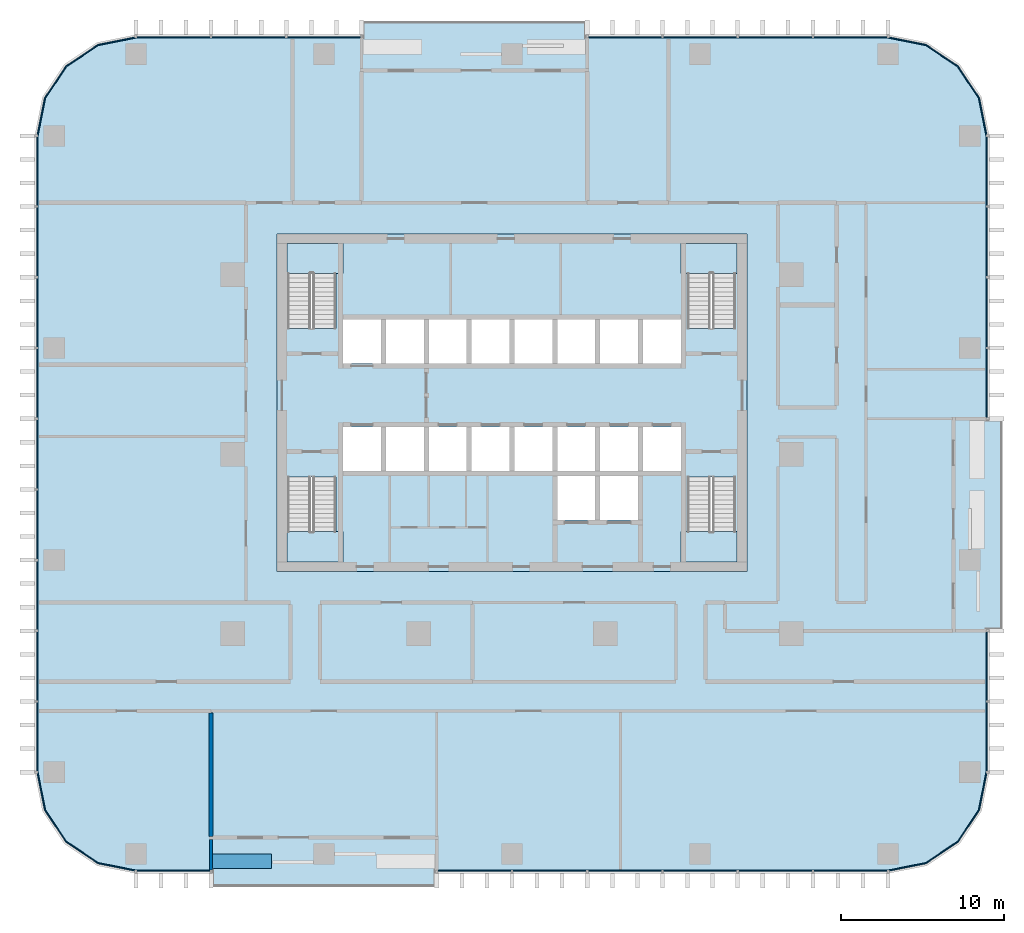
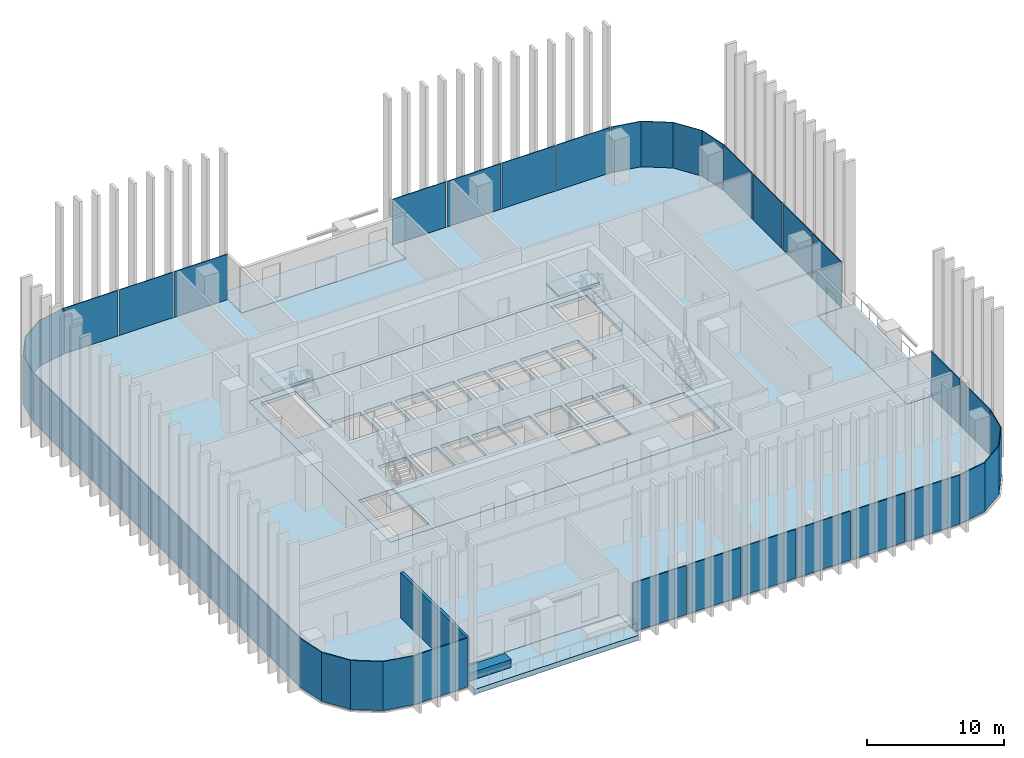
# One storey, part 6 of 17: 33 plates, 9 slabs, 3 walls, 15 elements without a shape of their own.
"""IFC4 building model written with IfcOpenShell, lengths in metres."""

from ifc_helpers import new_model, si_unit, direction, frame, frame_2d, origin, origin_2d, place, context, subcontext, project, spatial, polyline, rectangle, outline, extrude, material, layer, layer_set, type_object, element, aggregate, save


model = new_model("IFC4")

# Units and contexts
model_context = context("Model", 3, precision=1e-05, world=origin(), true_north=direction((0.0, 1.0)))
body_context = subcontext(model_context, "Body", "Model", "MODEL_VIEW")
ifc_project = project(units=[si_unit("LENGTHUNIT", "METRE"), si_unit("AREAUNIT", "SQUARE_METRE"), si_unit("VOLUMEUNIT", "CUBIC_METRE"), si_unit("PLANEANGLEUNIT", "RADIAN"), si_unit("MASSUNIT", "GRAM", prefix="KILO")], contexts=[model_context])

# Site, building, storey
site_placement = place(None, origin())
site = spatial("IfcSite", under=ifc_project, at=site_placement, CompositionType="ELEMENT")
building_placement = place(site_placement, origin())
building = spatial("IfcBuilding", under=site, at=building_placement, Name="Mopane Tessera Tower", CompositionType="ELEMENT")
storey_placement = place(building_placement, frame((0.0, 0.0, 135.10009765625)))
storey = spatial("IfcBuildingStorey", under=building, at=storey_placement, Name="L27", CompositionType="ELEMENT", Elevation=135.10009765625)

# Slab
ifc_material_1 = material(Name="Concrete C40/50", Category="concrete")
ifc_layer_1 = layer(ifc_material_1, 0.300048828125)
ifc_layer_set_1 = layer_set([ifc_layer_1], Name="Concrete C40/50")
slab_type_1 = type_object("IfcSlabType", Name="Core floor slab 300 mm", PredefinedType="FLOOR", material=ifc_layer_set_1)
slab_1_placement = place(storey_placement, frame((0.0, 0.0, -0.300048828125)))
element("IfcSlab", 1, at=slab_1_placement, inside=storey, type_object=slab_type_1, Name="L27 core floor slab", PredefinedType="FLOOR", context=body_context, shape_type="SweptSolid", body=[
    extrude(outline(polyline([(-14.39990234375, -7.199951171875), (14.39990234375, -7.199951171875), (14.39990234375, 13.5), (-14.39990234375, 13.5), (-14.39990234375, -7.199951171875)]), holes=[polyline([(-10.35009765625, -1.050048828125), (-8.02490234375, -1.050048828125), (-8.02490234375, 1.64990234375), (-10.35009765625, 1.64990234375), (-10.35009765625, -1.050048828125)]), polyline([(-7.72509765625, -1.050048828125), (-5.39990234375, -1.050048828125), (-5.39990234375, 1.64990234375), (-7.72509765625, 1.64990234375), (-7.72509765625, -1.050048828125)]), polyline([(-5.10009765625, -1.050048828125), (-2.77490234375, -1.050048828125), (-2.77490234375, 1.64990234375), (-5.10009765625, 1.64990234375), (-5.10009765625, -1.050048828125)]), polyline([(-2.47509765625, -1.050048828125), (-0.14990234375, -1.050048828125), (-0.14990234375, 1.64990234375), (-2.47509765625, 1.64990234375), (-2.47509765625, -1.050048828125)]), polyline([(0.14990234375, -1.050048828125), (2.47509765625, -1.050048828125), (2.47509765625, 1.64990234375), (0.14990234375, 1.64990234375), (0.14990234375, -1.050048828125)]), polyline([(2.77490234375, -1.050048828125), (5.10009765625, -1.050048828125), (5.10009765625, 1.64990234375), (2.77490234375, 1.64990234375), (2.77490234375, -1.050048828125)]), polyline([(5.39990234375, -1.050048828125), (7.72509765625, -1.050048828125), (7.72509765625, 1.64990234375), (5.39990234375, 1.64990234375), (5.39990234375, -1.050048828125)]), polyline([(8.02490234375, -1.050048828125), (10.35009765625, -1.050048828125), (10.35009765625, 1.64990234375), (8.02490234375, 1.64990234375), (8.02490234375, -1.050048828125)]), polyline([(-10.35009765625, 5.550048828125), (-8.02490234375, 5.550048828125), (-8.02490234375, 8.25), (-10.35009765625, 8.25), (-10.35009765625, 5.550048828125)]), polyline([(-7.72509765625, 5.550048828125), (-5.39990234375, 5.550048828125), (-5.39990234375, 8.25), (-7.72509765625, 8.25), (-7.72509765625, 5.550048828125)]), polyline([(-5.10009765625, 5.550048828125), (-2.77490234375, 5.550048828125), (-2.77490234375, 8.25), (-5.10009765625, 8.25), (-5.10009765625, 5.550048828125)]), polyline([(-2.47509765625, 5.550048828125), (-0.14990234375, 5.550048828125), (-0.14990234375, 8.25), (-2.47509765625, 8.25), (-2.47509765625, 5.550048828125)]), polyline([(0.14990234375, 5.550048828125), (2.47509765625, 5.550048828125), (2.47509765625, 8.25), (0.14990234375, 8.25), (0.14990234375, 5.550048828125)]), polyline([(2.77490234375, 5.550048828125), (5.10009765625, 5.550048828125), (5.10009765625, 8.25), (2.77490234375, 8.25), (2.77490234375, 5.550048828125)]), polyline([(5.39990234375, 5.550048828125), (7.72509765625, 5.550048828125), (7.72509765625, 8.25), (5.39990234375, 8.25), (5.39990234375, 5.550048828125)]), polyline([(8.02490234375, 5.550048828125), (10.35009765625, 5.550048828125), (10.35009765625, 8.25), (8.02490234375, 8.25), (8.02490234375, 5.550048828125)]), polyline([(2.77490234375, -4.050048828125), (5.10009765625, -4.050048828125), (5.10009765625, -1.35009765625), (2.77490234375, -1.35009765625), (2.77490234375, -4.050048828125)]), polyline([(5.39990234375, -4.050048828125), (7.72509765625, -4.050048828125), (7.72509765625, -1.35009765625), (5.39990234375, -1.35009765625), (5.39990234375, -4.050048828125)]), polyline([(-13.75, -1.405029296875), (-13.75, -6.60009765625), (-10.800048828125, -6.60009765625), (-10.800048828125, -1.405029296875), (-13.75, -1.405029296875)]), polyline([(-10.800048828125, 7.705078125), (-10.800048828125, 12.89990234375), (-13.75, 12.89990234375), (-13.75, 7.705078125), (-10.800048828125, 7.705078125)]), polyline([(10.75, -1.405029296875), (10.75, -6.60009765625), (13.699951171875, -6.60009765625), (13.699951171875, -1.405029296875), (10.75, -1.405029296875)]), polyline([(13.699951171875, 7.705078125), (13.699951171875, 12.89990234375), (10.75, 12.89990234375), (10.75, 7.705078125), (13.699951171875, 7.705078125)])]), origin(), (0.0, 0.0, 1.0), 0.300048828125),
])

# Stair, slab
ifc_material_2 = material(Name="Concrete C50/60", Category="concrete")
stair_type = type_object("IfcStairType", Name="Escape stair 1400 mm, riser 173 mm", PredefinedType="HALF_TURN_STAIR", material=ifc_material_2)
stair_1_placement = place(storey_placement, origin())
stair_1 = element("IfcStair", 2, at=stair_1_placement, inside=storey, type_object=stair_type, Name="L27 Escape stair south-west", PredefinedType="HALF_TURN_STAIR")
ifc_material_3 = material(Name="Concrete C50/60", Category="concrete")
ifc_layer_2 = layer(ifc_material_3, 0.199951171875)
ifc_layer_set_2 = layer_set([ifc_layer_2], Name="Concrete C50/60")
slab_type_2 = type_object("IfcSlabType", Name="Escape stair landing 200 mm", PredefinedType="LANDING", material=ifc_layer_set_2)
slab_2_placement = place(storey_placement, frame((0.0, 0.0, 2.0498046875)))
slab_2 = element("IfcSlab", 3, at=slab_2_placement, type_object=slab_type_2, Name="ST1 landing 1", PredefinedType="LANDING", context=body_context, shape_type="SweptSolid", body=[
    extrude(outline(polyline([(-13.800048828125, -4.760009765625), (-13.800048828125, -6.60009765625), (-10.35009765625, -6.60009765625), (-10.35009765625, -4.760009765625), (-13.800048828125, -4.760009765625)])), origin(), (0.0, 0.0, 1.0), 0.2001953125),
])
aggregate(stair_1, [slab_2])

stair_2_placement = place(storey_placement, origin())
stair_2 = element("IfcStair", 4, at=stair_2_placement, inside=storey, type_object=stair_type, Name="L27 Escape stair north-west", PredefinedType="HALF_TURN_STAIR")
slab_3_placement = place(storey_placement, frame((0.0, 0.0, 2.0498046875)))
slab_3 = element("IfcSlab", 5, at=slab_3_placement, type_object=slab_type_2, Name="ST2 landing 1", PredefinedType="LANDING", context=body_context, shape_type="SweptSolid", body=[
    extrude(outline(polyline([(-10.35009765625, 11.06005859375), (-10.35009765625, 12.89990234375), (-13.800048828125, 12.89990234375), (-13.800048828125, 11.06005859375), (-10.35009765625, 11.06005859375)])), origin(), (0.0, 0.0, 1.0), 0.2001953125),
])
aggregate(stair_2, [slab_3])

stair_3_placement = place(storey_placement, origin())
stair_3 = element("IfcStair", 6, at=stair_3_placement, inside=storey, type_object=stair_type, Name="L27 Escape stair south-east", PredefinedType="HALF_TURN_STAIR")
slab_4_placement = place(storey_placement, frame((0.0, 0.0, 2.0498046875)))
slab_4 = element("IfcSlab", 7, at=slab_4_placement, type_object=slab_type_2, Name="ST3 landing 1", PredefinedType="LANDING", context=body_context, shape_type="SweptSolid", body=[
    extrude(outline(polyline([(10.35009765625, -4.760009765625), (10.35009765625, -6.60009765625), (13.800048828125, -6.60009765625), (13.800048828125, -4.760009765625), (10.35009765625, -4.760009765625)])), origin(), (0.0, 0.0, 1.0), 0.2001953125),
])
aggregate(stair_3, [slab_4])

stair_4_placement = place(storey_placement, origin())
stair_4 = element("IfcStair", 8, at=stair_4_placement, inside=storey, type_object=stair_type, Name="L27 Escape stair north-east", PredefinedType="HALF_TURN_STAIR")
slab_5_placement = place(storey_placement, frame((0.0, 0.0, 2.0498046875)))
slab_5 = element("IfcSlab", 9, at=slab_5_placement, type_object=slab_type_2, Name="ST4 landing 1", PredefinedType="LANDING", context=body_context, shape_type="SweptSolid", body=[
    extrude(outline(polyline([(13.800048828125, 11.06005859375), (13.800048828125, 12.89990234375), (10.35009765625, 12.89990234375), (10.35009765625, 11.06005859375), (13.800048828125, 11.06005859375)])), origin(), (0.0, 0.0, 1.0), 0.2001953125),
])
aggregate(stair_4, [slab_5])

# Curtain wall, plate
ifc_material_4 = material(Name="Aluminium frame", Category="aluminium")
curtain_wall_type = type_object("IfcCurtainWallType", Name="Lower tower unitised wall", PredefinedType="NOTDEFINED", material=ifc_material_4)
curtain_wall_1_placement = place(storey_placement, origin())
curtain_wall_1 = element("IfcCurtainWall", 10, at=curtain_wall_1_placement, inside=storey, type_object=curtain_wall_type, Name="e:cw:L27:S:0", PredefinedType="NOTDEFINED")
ifc_material_5 = material(Name="Clear laminated glass", Category="glass")
ifc_layer_3 = layer(ifc_material_5, 0.070068359375)
ifc_layer_set_3 = layer_set([ifc_layer_3], Name="Clear laminated glass")
plate_type = type_object("IfcPlateType", Name="Laminated glazed unit 70", PredefinedType="CURTAIN_PANEL", material=ifc_layer_set_3)
plate_1_placement = place(storey_placement, frame((-20.7451171875, -25.534912109375, -0.31005859375), z_axis=(0.0, 0.0, 1.0), x_axis=(1.0, 0.0, 0.0)))
plate_1 = element("IfcPlate", 11, at=plate_1_placement, type_object=plate_type, Name="e:cw:L27:S:0:pn0", PredefinedType="CURTAIN_PANEL", context=body_context, shape_type="SweptSolid", body=[
    extrude(rectangle(XDim=4.5, YDim=0.070068359375, at=origin_2d()), origin(), (0.0, 0.0, 1.0), 4.360107421875),
])
aggregate(curtain_wall_1, [plate_1])

# Curtain wall, plates
curtain_wall_2_placement = place(storey_placement, origin())
curtain_wall_2 = element("IfcCurtainWall", 12, at=curtain_wall_2_placement, inside=storey, type_object=curtain_wall_type, Name="e:cw:L27:S:4", PredefinedType="NOTDEFINED")
plate_2_placement = place(storey_placement, frame((-2.304931640625, -25.534912109375, -0.31005859375), z_axis=(0.0, 0.0, 1.0), x_axis=(1.0, 0.0, 0.0)))
plate_2 = element("IfcPlate", 13, at=plate_2_placement, type_object=plate_type, Name="e:cw:L27:S:4:pn4", PredefinedType="CURTAIN_PANEL", context=body_context, shape_type="SweptSolid", body=[
    extrude(rectangle(XDim=4.5, YDim=0.070068359375, at=origin_2d()), origin(), (0.0, 0.0, 1.0), 4.360107421875),
])
plate_3_placement = place(storey_placement, frame((2.304931640625, -25.534912109375, -0.31005859375), z_axis=(0.0, 0.0, 1.0), x_axis=(1.0, 0.0, 0.0)))
plate_3 = element("IfcPlate", 14, at=plate_3_placement, type_object=plate_type, Name="e:cw:L27:S:4:pn5", PredefinedType="CURTAIN_PANEL", context=body_context, shape_type="SweptSolid", body=[
    extrude(rectangle(XDim=4.5, YDim=0.070068359375, at=origin_2d()), origin(), (0.0, 0.0, 1.0), 4.360107421875),
])
plate_4_placement = place(storey_placement, frame((6.9150390625, -25.534912109375, -0.31005859375), z_axis=(0.0, 0.0, 1.0), x_axis=(1.0, 0.0, 0.0)))
plate_4 = element("IfcPlate", 15, at=plate_4_placement, type_object=plate_type, Name="e:cw:L27:S:4:pn6", PredefinedType="CURTAIN_PANEL", context=body_context, shape_type="SweptSolid", body=[
    extrude(rectangle(XDim=4.5, YDim=0.070068359375, at=origin_2d()), origin(), (0.0, 0.0, 1.0), 4.360107421875),
])
plate_5_placement = place(storey_placement, frame((11.52490234375, -25.534912109375, -0.31005859375), z_axis=(0.0, 0.0, 1.0), x_axis=(1.0, 0.0, 0.0)))
plate_5 = element("IfcPlate", 16, at=plate_5_placement, type_object=plate_type, Name="e:cw:L27:S:4:pn7", PredefinedType="CURTAIN_PANEL", context=body_context, shape_type="SweptSolid", body=[
    extrude(rectangle(XDim=4.5, YDim=0.070068359375, at=origin_2d()), origin(), (0.0, 0.0, 1.0), 4.360107421875),
])
plate_6_placement = place(storey_placement, frame((16.135009765625, -25.534912109375, -0.31005859375), z_axis=(0.0, 0.0, 1.0), x_axis=(1.0, 0.0, 0.0)))
plate_6 = element("IfcPlate", 17, at=plate_6_placement, type_object=plate_type, Name="e:cw:L27:S:4:pn8", PredefinedType="CURTAIN_PANEL", context=body_context, shape_type="SweptSolid", body=[
    extrude(rectangle(XDim=4.5, YDim=0.070068359375, at=origin_2d()), origin(), (0.0, 0.0, 1.0), 4.360107421875),
])
plate_7_placement = place(storey_placement, frame((20.7451171875, -25.534912109375, -0.31005859375), z_axis=(0.0, 0.0, 1.0), x_axis=(1.0, 0.0, 0.0)))
plate_7 = element("IfcPlate", 18, at=plate_7_placement, type_object=plate_type, Name="e:cw:L27:S:4:pn9", PredefinedType="CURTAIN_PANEL", context=body_context, shape_type="SweptSolid", body=[
    extrude(rectangle(XDim=4.5, YDim=0.070068359375, at=origin_2d()), origin(), (0.0, 0.0, 1.0), 4.360107421875),
])
aggregate(curtain_wall_2, [plate_2, plate_3, plate_4, plate_5, plate_6, plate_7])

# Curtain wall, plate
curtain_wall_3_placement = place(storey_placement, origin())
curtain_wall_3 = element("IfcCurtainWall", 19, at=curtain_wall_3_placement, inside=storey, type_object=curtain_wall_type, Name="e:cw:L27:CS", PredefinedType="NOTDEFINED")
plate_8_placement = place(storey_placement, frame((0.0, 0.0, -0.31005859375)))
plate_8 = element("IfcPlate", 20, at=plate_8_placement, type_object=plate_type, Name="e:cw:L27:CS:pn", PredefinedType="CURTAIN_PANEL", context=body_context, shape_type="SweptSolid", body=[
    extrude(outline(polyline([(23.050048828125, -25.5), (25.34619140625, -25.043212890625), (27.292724609375, -23.74267578125), (28.59326171875, -21.796142578125), (29.050048828125, -19.5), (29.1201171875, -19.5), (28.657958984375, -21.822998046875), (27.342041015625, -23.792236328125), (25.372802734375, -25.10791015625), (23.050048828125, -25.570068359375), (23.050048828125, -25.5)])), origin(), (0.0, 0.0, 1.0), 4.35986328125),
])
aggregate(curtain_wall_3, [plate_8])

# Curtain wall, plates
curtain_wall_4_placement = place(storey_placement, origin())
curtain_wall_4 = element("IfcCurtainWall", 21, at=curtain_wall_4_placement, inside=storey, type_object=curtain_wall_type, Name="e:cw:L27:E:0", PredefinedType="NOTDEFINED")
plate_9_placement = place(storey_placement, frame((29.0849609375, -17.333251953125, -0.31005859375), z_axis=(0.0, 0.0, 1.0), x_axis=(0.0, 1.0, 0.0)))
plate_9 = element("IfcPlate", 22, at=plate_9_placement, type_object=plate_type, Name="e:cw:L27:E:0:pn0", PredefinedType="CURTAIN_PANEL", context=body_context, shape_type="SweptSolid", body=[
    extrude(rectangle(XDim=4.223388671875, YDim=0.070068359375, at=origin_2d()), origin(), (0.0, 0.0, 1.0), 4.360107421875),
])
plate_10_placement = place(storey_placement, frame((29.0849609375, -13.0, -0.31005859375), z_axis=(0.0, 0.0, 1.0), x_axis=(0.0, 1.0, 0.0)))
plate_10 = element("IfcPlate", 23, at=plate_10_placement, type_object=plate_type, Name="e:cw:L27:E:0:pn1", PredefinedType="CURTAIN_PANEL", context=body_context, shape_type="SweptSolid", body=[
    extrude(rectangle(XDim=4.223388671875, YDim=0.070068359375, at=origin_2d()), origin(), (0.0, 0.0, 1.0), 4.360107421875),
])
aggregate(curtain_wall_4, [plate_9, plate_10])

curtain_wall_5_placement = place(storey_placement, origin())
curtain_wall_5 = element("IfcCurtainWall", 24, at=curtain_wall_5_placement, inside=storey, type_object=curtain_wall_type, Name="e:cw:L27:E:5", PredefinedType="NOTDEFINED")
plate_11_placement = place(storey_placement, frame((29.0849609375, 4.333251953125, -0.31005859375), z_axis=(0.0, 0.0, 1.0), x_axis=(0.0, 1.0, 0.0)))
plate_11 = element("IfcPlate", 25, at=plate_11_placement, type_object=plate_type, Name="e:cw:L27:E:5:pn5", PredefinedType="CURTAIN_PANEL", context=body_context, shape_type="SweptSolid", body=[
    extrude(rectangle(XDim=4.223388671875, YDim=0.070068359375, at=origin_2d()), origin(), (0.0, 0.0, 1.0), 4.360107421875),
])
plate_12_placement = place(storey_placement, frame((29.0849609375, 8.666748046875, -0.31005859375), z_axis=(0.0, 0.0, 1.0), x_axis=(0.0, 1.0, 0.0)))
plate_12 = element("IfcPlate", 26, at=plate_12_placement, type_object=plate_type, Name="e:cw:L27:E:5:pn6", PredefinedType="CURTAIN_PANEL", context=body_context, shape_type="SweptSolid", body=[
    extrude(rectangle(XDim=4.223388671875, YDim=0.070068359375, at=origin_2d()), origin(), (0.0, 0.0, 1.0), 4.360107421875),
])
plate_13_placement = place(storey_placement, frame((29.0849609375, 13.0, -0.31005859375), z_axis=(0.0, 0.0, 1.0), x_axis=(0.0, 1.0, 0.0)))
plate_13 = element("IfcPlate", 27, at=plate_13_placement, type_object=plate_type, Name="e:cw:L27:E:5:pn7", PredefinedType="CURTAIN_PANEL", context=body_context, shape_type="SweptSolid", body=[
    extrude(rectangle(XDim=4.223388671875, YDim=0.070068359375, at=origin_2d()), origin(), (0.0, 0.0, 1.0), 4.360107421875),
])
plate_14_placement = place(storey_placement, frame((29.0849609375, 17.333251953125, -0.31005859375), z_axis=(0.0, 0.0, 1.0), x_axis=(0.0, 1.0, 0.0)))
plate_14 = element("IfcPlate", 28, at=plate_14_placement, type_object=plate_type, Name="e:cw:L27:E:5:pn8", PredefinedType="CURTAIN_PANEL", context=body_context, shape_type="SweptSolid", body=[
    extrude(rectangle(XDim=4.223388671875, YDim=0.070068359375, at=origin_2d()), origin(), (0.0, 0.0, 1.0), 4.360107421875),
])
aggregate(curtain_wall_5, [plate_11, plate_12, plate_13, plate_14])

# Curtain wall, plate
curtain_wall_6_placement = place(storey_placement, origin())
curtain_wall_6 = element("IfcCurtainWall", 29, at=curtain_wall_6_placement, inside=storey, type_object=curtain_wall_type, Name="e:cw:L27:CE", PredefinedType="NOTDEFINED")
plate_15_placement = place(storey_placement, frame((0.0, 0.0, -0.31005859375)))
plate_15 = element("IfcPlate", 30, at=plate_15_placement, type_object=plate_type, Name="e:cw:L27:CE:pn", PredefinedType="CURTAIN_PANEL", context=body_context, shape_type="SweptSolid", body=[
    extrude(outline(polyline([(29.050048828125, 19.5), (28.59326171875, 21.796142578125), (27.292724609375, 23.74267578125), (25.34619140625, 25.043212890625), (23.050048828125, 25.5), (23.050048828125, 25.570068359375), (25.372802734375, 25.10791015625), (27.342041015625, 23.792236328125), (28.657958984375, 21.822998046875), (29.1201171875, 19.5), (29.050048828125, 19.5)])), origin(), (0.0, 0.0, 1.0), 4.35986328125),
])
aggregate(curtain_wall_6, [plate_15])

# Curtain wall, plates
curtain_wall_7_placement = place(storey_placement, origin())
curtain_wall_7 = element("IfcCurtainWall", 31, at=curtain_wall_7_placement, inside=storey, type_object=curtain_wall_type, Name="e:cw:L27:N:0", PredefinedType="NOTDEFINED")
plate_16_placement = place(storey_placement, frame((20.7451171875, 25.534912109375, -0.31005859375), z_axis=(0.0, 0.0, 1.0), x_axis=(-1.0, 0.0, 0.0)))
plate_16 = element("IfcPlate", 32, at=plate_16_placement, type_object=plate_type, Name="e:cw:L27:N:0:pn0", PredefinedType="CURTAIN_PANEL", context=body_context, shape_type="SweptSolid", body=[
    extrude(rectangle(XDim=4.5, YDim=0.070068359375, at=origin_2d()), origin(), (0.0, 0.0, 1.0), 4.360107421875),
])
plate_17_placement = place(storey_placement, frame((16.135009765625, 25.534912109375, -0.31005859375), z_axis=(0.0, 0.0, 1.0), x_axis=(-1.0, 0.0, 0.0)))
plate_17 = element("IfcPlate", 33, at=plate_17_placement, type_object=plate_type, Name="e:cw:L27:N:0:pn1", PredefinedType="CURTAIN_PANEL", context=body_context, shape_type="SweptSolid", body=[
    extrude(rectangle(XDim=4.5, YDim=0.070068359375, at=origin_2d()), origin(), (0.0, 0.0, 1.0), 4.360107421875),
])
plate_18_placement = place(storey_placement, frame((11.52490234375, 25.534912109375, -0.31005859375), z_axis=(0.0, 0.0, 1.0), x_axis=(-1.0, 0.0, 0.0)))
plate_18 = element("IfcPlate", 34, at=plate_18_placement, type_object=plate_type, Name="e:cw:L27:N:0:pn2", PredefinedType="CURTAIN_PANEL", context=body_context, shape_type="SweptSolid", body=[
    extrude(rectangle(XDim=4.5, YDim=0.070068359375, at=origin_2d()), origin(), (0.0, 0.0, 1.0), 4.360107421875),
])
plate_19_placement = place(storey_placement, frame((6.9150390625, 25.534912109375, -0.31005859375), z_axis=(0.0, 0.0, 1.0), x_axis=(-1.0, 0.0, 0.0)))
plate_19 = element("IfcPlate", 35, at=plate_19_placement, type_object=plate_type, Name="e:cw:L27:N:0:pn3", PredefinedType="CURTAIN_PANEL", context=body_context, shape_type="SweptSolid", body=[
    extrude(rectangle(XDim=4.5, YDim=0.070068359375, at=origin_2d()), origin(), (0.0, 0.0, 1.0), 4.360107421875),
])
aggregate(curtain_wall_7, [plate_16, plate_17, plate_18, plate_19])

curtain_wall_8_placement = place(storey_placement, origin())
curtain_wall_8 = element("IfcCurtainWall", 36, at=curtain_wall_8_placement, inside=storey, type_object=curtain_wall_type, Name="e:cw:L27:N:7", PredefinedType="NOTDEFINED")
plate_20_placement = place(storey_placement, frame((-11.52490234375, 25.534912109375, -0.31005859375), z_axis=(0.0, 0.0, 1.0), x_axis=(-1.0, 0.0, 0.0)))
plate_20 = element("IfcPlate", 37, at=plate_20_placement, type_object=plate_type, Name="e:cw:L27:N:7:pn7", PredefinedType="CURTAIN_PANEL", context=body_context, shape_type="SweptSolid", body=[
    extrude(rectangle(XDim=4.5, YDim=0.070068359375, at=origin_2d()), origin(), (0.0, 0.0, 1.0), 4.360107421875),
])
plate_21_placement = place(storey_placement, frame((-16.135009765625, 25.534912109375, -0.31005859375), z_axis=(0.0, 0.0, 1.0), x_axis=(-1.0, 0.0, 0.0)))
plate_21 = element("IfcPlate", 38, at=plate_21_placement, type_object=plate_type, Name="e:cw:L27:N:7:pn8", PredefinedType="CURTAIN_PANEL", context=body_context, shape_type="SweptSolid", body=[
    extrude(rectangle(XDim=4.5, YDim=0.070068359375, at=origin_2d()), origin(), (0.0, 0.0, 1.0), 4.360107421875),
])
plate_22_placement = place(storey_placement, frame((-20.7451171875, 25.534912109375, -0.31005859375), z_axis=(0.0, 0.0, 1.0), x_axis=(-1.0, 0.0, 0.0)))
plate_22 = element("IfcPlate", 39, at=plate_22_placement, type_object=plate_type, Name="e:cw:L27:N:7:pn9", PredefinedType="CURTAIN_PANEL", context=body_context, shape_type="SweptSolid", body=[
    extrude(rectangle(XDim=4.5, YDim=0.070068359375, at=origin_2d()), origin(), (0.0, 0.0, 1.0), 4.360107421875),
])
aggregate(curtain_wall_8, [plate_20, plate_21, plate_22])

# Curtain wall, plate
curtain_wall_9_placement = place(storey_placement, origin())
curtain_wall_9 = element("IfcCurtainWall", 40, at=curtain_wall_9_placement, inside=storey, type_object=curtain_wall_type, Name="e:cw:L27:CN", PredefinedType="NOTDEFINED")
plate_23_placement = place(storey_placement, frame((0.0, 0.0, -0.31005859375)))
plate_23 = element("IfcPlate", 41, at=plate_23_placement, type_object=plate_type, Name="e:cw:L27:CN:pn", PredefinedType="CURTAIN_PANEL", context=body_context, shape_type="SweptSolid", body=[
    extrude(outline(polyline([(-23.050048828125, 25.5), (-25.34619140625, 25.043212890625), (-27.292724609375, 23.74267578125), (-28.59326171875, 21.796142578125), (-29.050048828125, 19.5), (-29.1201171875, 19.5), (-28.657958984375, 21.822998046875), (-27.342041015625, 23.792236328125), (-25.372802734375, 25.10791015625), (-23.050048828125, 25.570068359375), (-23.050048828125, 25.5)])), origin(), (0.0, 0.0, 1.0), 4.35986328125),
])
aggregate(curtain_wall_9, [plate_23])

# Curtain wall, plates
curtain_wall_10_placement = place(storey_placement, origin())
curtain_wall_10 = element("IfcCurtainWall", 42, at=curtain_wall_10_placement, inside=storey, type_object=curtain_wall_type, Name="e:cw:L27:W:0", PredefinedType="NOTDEFINED")
plate_24_placement = place(storey_placement, frame((-29.0849609375, 17.333251953125, -0.31005859375), z_axis=(0.0, 0.0, 1.0), x_axis=(0.0, -1.0, 0.0)))
plate_24 = element("IfcPlate", 43, at=plate_24_placement, type_object=plate_type, Name="e:cw:L27:W:0:pn0", PredefinedType="CURTAIN_PANEL", context=body_context, shape_type="SweptSolid", body=[
    extrude(rectangle(XDim=4.223388671875, YDim=0.070068359375, at=origin_2d()), origin(), (0.0, 0.0, 1.0), 4.360107421875),
])
plate_25_placement = place(storey_placement, frame((-29.0849609375, 13.0, -0.31005859375), z_axis=(0.0, 0.0, 1.0), x_axis=(0.0, -1.0, 0.0)))
plate_25 = element("IfcPlate", 44, at=plate_25_placement, type_object=plate_type, Name="e:cw:L27:W:0:pn1", PredefinedType="CURTAIN_PANEL", context=body_context, shape_type="SweptSolid", body=[
    extrude(rectangle(XDim=4.223388671875, YDim=0.070068359375, at=origin_2d()), origin(), (0.0, 0.0, 1.0), 4.360107421875),
])
plate_26_placement = place(storey_placement, frame((-29.0849609375, 8.666748046875, -0.31005859375), z_axis=(0.0, 0.0, 1.0), x_axis=(0.0, -1.0, 0.0)))
plate_26 = element("IfcPlate", 45, at=plate_26_placement, type_object=plate_type, Name="e:cw:L27:W:0:pn2", PredefinedType="CURTAIN_PANEL", context=body_context, shape_type="SweptSolid", body=[
    extrude(rectangle(XDim=4.223388671875, YDim=0.070068359375, at=origin_2d()), origin(), (0.0, 0.0, 1.0), 4.360107421875),
])
plate_27_placement = place(storey_placement, frame((-29.0849609375, 4.333251953125, -0.31005859375), z_axis=(0.0, 0.0, 1.0), x_axis=(0.0, -1.0, 0.0)))
plate_27 = element("IfcPlate", 46, at=plate_27_placement, type_object=plate_type, Name="e:cw:L27:W:0:pn3", PredefinedType="CURTAIN_PANEL", context=body_context, shape_type="SweptSolid", body=[
    extrude(rectangle(XDim=4.223388671875, YDim=0.070068359375, at=origin_2d()), origin(), (0.0, 0.0, 1.0), 4.360107421875),
])
plate_28_placement = place(storey_placement, frame((-29.0849609375, 0.0, -0.31005859375), z_axis=(0.0, 0.0, 1.0), x_axis=(0.0, -1.0, 0.0)))
plate_28 = element("IfcPlate", 47, at=plate_28_placement, type_object=plate_type, Name="e:cw:L27:W:0:pn4", PredefinedType="CURTAIN_PANEL", context=body_context, shape_type="SweptSolid", body=[
    extrude(rectangle(XDim=4.223388671875, YDim=0.070068359375, at=origin_2d()), origin(), (0.0, 0.0, 1.0), 4.360107421875),
])
plate_29_placement = place(storey_placement, frame((-29.0849609375, -4.333251953125, -0.31005859375), z_axis=(0.0, 0.0, 1.0), x_axis=(0.0, -1.0, 0.0)))
plate_29 = element("IfcPlate", 48, at=plate_29_placement, type_object=plate_type, Name="e:cw:L27:W:0:pn5", PredefinedType="CURTAIN_PANEL", context=body_context, shape_type="SweptSolid", body=[
    extrude(rectangle(XDim=4.223388671875, YDim=0.070068359375, at=origin_2d()), origin(), (0.0, 0.0, 1.0), 4.360107421875),
])
plate_30_placement = place(storey_placement, frame((-29.0849609375, -8.666748046875, -0.31005859375), z_axis=(0.0, 0.0, 1.0), x_axis=(0.0, -1.0, 0.0)))
plate_30 = element("IfcPlate", 49, at=plate_30_placement, type_object=plate_type, Name="e:cw:L27:W:0:pn6", PredefinedType="CURTAIN_PANEL", context=body_context, shape_type="SweptSolid", body=[
    extrude(rectangle(XDim=4.223388671875, YDim=0.070068359375, at=origin_2d()), origin(), (0.0, 0.0, 1.0), 4.360107421875),
])
plate_31_placement = place(storey_placement, frame((-29.0849609375, -13.0, -0.31005859375), z_axis=(0.0, 0.0, 1.0), x_axis=(0.0, -1.0, 0.0)))
plate_31 = element("IfcPlate", 50, at=plate_31_placement, type_object=plate_type, Name="e:cw:L27:W:0:pn7", PredefinedType="CURTAIN_PANEL", context=body_context, shape_type="SweptSolid", body=[
    extrude(rectangle(XDim=4.223388671875, YDim=0.070068359375, at=origin_2d()), origin(), (0.0, 0.0, 1.0), 4.360107421875),
])
plate_32_placement = place(storey_placement, frame((-29.0849609375, -17.333251953125, -0.31005859375), z_axis=(0.0, 0.0, 1.0), x_axis=(0.0, -1.0, 0.0)))
plate_32 = element("IfcPlate", 51, at=plate_32_placement, type_object=plate_type, Name="e:cw:L27:W:0:pn8", PredefinedType="CURTAIN_PANEL", context=body_context, shape_type="SweptSolid", body=[
    extrude(rectangle(XDim=4.223388671875, YDim=0.070068359375, at=origin_2d()), origin(), (0.0, 0.0, 1.0), 4.360107421875),
])
aggregate(curtain_wall_10, [plate_24, plate_25, plate_26, plate_27, plate_28, plate_29, plate_30, plate_31, plate_32])

# Curtain wall, plate
curtain_wall_11_placement = place(storey_placement, origin())
curtain_wall_11 = element("IfcCurtainWall", 52, at=curtain_wall_11_placement, inside=storey, type_object=curtain_wall_type, Name="e:cw:L27:CW", PredefinedType="NOTDEFINED")
plate_33_placement = place(storey_placement, frame((0.0, 0.0, -0.31005859375)))
plate_33 = element("IfcPlate", 53, at=plate_33_placement, type_object=plate_type, Name="e:cw:L27:CW:pn", PredefinedType="CURTAIN_PANEL", context=body_context, shape_type="SweptSolid", body=[
    extrude(outline(polyline([(-29.050048828125, -19.5), (-28.59326171875, -21.796142578125), (-27.292724609375, -23.74267578125), (-25.34619140625, -25.043212890625), (-23.050048828125, -25.5), (-23.050048828125, -25.570068359375), (-25.372802734375, -25.10791015625), (-27.342041015625, -23.792236328125), (-28.657958984375, -21.822998046875), (-29.1201171875, -19.5), (-29.050048828125, -19.5)])), origin(), (0.0, 0.0, 1.0), 4.35986328125),
])
aggregate(curtain_wall_11, [plate_33])

# Slabs
ifc_material_6 = material(Name="Concrete C40/50", Category="concrete")
ifc_layer_4 = layer(ifc_material_6, 0.449951171875)
ifc_layer_set_4 = layer_set([ifc_layer_4], Name="Concrete C40/50")
slab_type_3 = type_object("IfcSlabType", Name="Planted terrace slab 450 mm", PredefinedType="FLOOR", material=ifc_layer_set_4)
slab_6_placement = place(storey_placement, frame((0.0, 0.0, -0.4501953125)))
element("IfcSlab", 54, at=slab_6_placement, inside=storey, type_object=slab_type_3, Name="Terrace slab N1 L27", PredefinedType="FLOOR", context=body_context, shape_type="SweptSolid", body=[
    extrude(outline(polyline([(-9.219970703125, 26.5), (-9.219970703125, 23.5), (4.610107421875, 23.5), (4.610107421875, 26.5), (-9.219970703125, 26.5)])), origin(), (0.0, 0.0, 1.0), 0.4501953125),
])
slab_7_placement = place(storey_placement, frame((0.0, 0.0, -0.4501953125)))
element("IfcSlab", 55, at=slab_7_placement, inside=storey, type_object=slab_type_3, Name="Terrace slab N2 L27", PredefinedType="FLOOR", context=body_context, shape_type="SweptSolid", body=[
    extrude(outline(polyline([(-4.610107421875, -26.5), (-4.610107421875, -23.5), (-18.43994140625, -23.5), (-18.43994140625, -26.5), (-4.610107421875, -26.5)])), origin(), (0.0, 0.0, 1.0), 0.4501953125),
])
slab_8_placement = place(storey_placement, frame((0.0, 0.0, -0.4501953125)))
element("IfcSlab", 56, at=slab_8_placement, inside=storey, type_object=slab_type_3, Name="Terrace slab N3 L27", PredefinedType="FLOOR", context=body_context, shape_type="SweptSolid", body=[
    extrude(outline(polyline([(30.050048828125, 2.166748046875), (27.050048828125, 2.166748046875), (27.050048828125, -10.833251953125), (30.050048828125, -10.833251953125), (30.050048828125, 2.166748046875)])), origin(), (0.0, 0.0, 1.0), 0.4501953125),
])
ifc_material_7 = material(Name="Concrete C40/50", Category="concrete")
ifc_layer_5 = layer(ifc_material_7, 0.449951171875)
ifc_layer_set_5 = layer_set([ifc_layer_5], Name="Concrete C40/50")
slab_type_4 = type_object("IfcSlabType", Name="Post-tensioned flat plate 450 mm", PredefinedType="FLOOR", material=ifc_layer_set_5)
slab_9_placement = place(storey_placement, frame((0.0, 0.0, -0.4501953125)))
element("IfcSlab", 57, at=slab_9_placement, inside=storey, type_object=slab_type_4, Name="Floor slab L27", PredefinedType="FLOOR", context=body_context, shape_type="SweptSolid", body=[
    extrude(outline(polyline([(-23.050048828125, -25.5), (-18.43994140625, -25.5), (-18.43994140625, -23.5), (-4.610107421875, -23.5), (-4.610107421875, -25.5), (23.050048828125, -25.5), (25.34619140625, -25.043212890625), (27.292724609375, -23.74267578125), (28.59326171875, -21.796142578125), (29.050048828125, -19.5), (29.050048828125, -10.833251953125), (27.050048828125, -10.833251953125), (27.050048828125, 2.166748046875), (29.050048828125, 2.166748046875), (29.050048828125, 19.5), (28.59326171875, 21.796142578125), (27.292724609375, 23.74267578125), (25.34619140625, 25.043212890625), (23.050048828125, 25.5), (4.610107421875, 25.5), (4.610107421875, 23.5), (-9.219970703125, 23.5), (-9.219970703125, 25.5), (-23.050048828125, 25.5), (-25.34619140625, 25.043212890625), (-27.292724609375, 23.74267578125), (-28.59326171875, 21.796142578125), (-29.050048828125, 19.5), (-29.050048828125, -19.5), (-28.59326171875, -21.796142578125), (-27.292724609375, -23.74267578125), (-25.34619140625, -25.043212890625), (-23.050048828125, -25.5)]), holes=[polyline([(14.39990234375, -7.199951171875), (-14.39990234375, -7.199951171875), (-14.39990234375, 13.5), (14.39990234375, 13.5), (14.39990234375, -7.199951171875)])]), origin(), (0.0, 0.0, 1.0), 0.4501953125),
])

# Walls
ifc_material_8 = material(Name="Reinforced concrete C32/40 with waterproofing", Category="concrete")
ifc_layer_6 = layer(ifc_material_8, 0.89990234375)
ifc_layer_set_6 = layer_set([ifc_layer_6], Name="Reinforced concrete C32/40 with waterproofing")
wall_type_1 = type_object("IfcWallType", Name="Planter trough 3600 x 900", PredefinedType="STANDARD", material=ifc_layer_set_6)
wall_1_placement = place(storey_placement, frame((-18.340087890625, -24.949951171875, 0.0), z_axis=(0.0, 0.0, 1.0), x_axis=(1.0, 0.0, 0.0)))
element("IfcWall", 58, at=wall_1_placement, inside=storey, type_object=wall_type_1, Name="e:nw:L27:N2:pl0", PredefinedType="STANDARD", context=body_context, shape_type="SweptSolid", body=[
    extrude(rectangle(XDim=3.60009765625, YDim=0.89990234375, at=frame_2d((1.800048828125, 0.0))), origin(), (0.0, 0.0, 1.0), 0.699951171875),
])
ifc_material_9 = material(Name="Plastered concrete blockwork C20/25", Category="masonry")
ifc_layer_7 = layer(ifc_material_9, 0.25)
ifc_layer_set_7 = layer_set([ifc_layer_7], Name="Plastered concrete blockwork C20/25")
wall_type_2 = type_object("IfcWallType", Name="Plastered blockwork wall 250, rated EI 120", PredefinedType="PARTITIONING", material=ifc_layer_set_7)
wall_2_placement = place(storey_placement, frame((-18.43994140625, -23.449951171875, 0.0), z_axis=(0.0, 0.0, 1.0), x_axis=(0.0, 1.0, 0.0)))
element("IfcWall", 59, at=wall_2_placement, inside=storey, type_object=wall_type_2, Name="Partition L27:030", PredefinedType="PARTITIONING", context=body_context, shape_type="SweptSolid", body=[
    extrude(rectangle(XDim=7.574951171875, YDim=0.25, at=frame_2d((3.78759765625, 0.0))), origin(), (0.0, 0.0, 1.0), 4.0498046875),
])
ifc_material_10 = material(Name="Blockwork with glazed tile facing", Category="masonry")
ifc_layer_8 = layer(ifc_material_10, 0.199951171875)
ifc_layer_set_8 = layer_set([ifc_layer_8], Name="Blockwork with glazed tile facing")
wall_type_3 = type_object("IfcWallType", Name="Terrace cheek wall 200", PredefinedType="STANDARD", material=ifc_layer_set_8)
wall_3_placement = place(storey_placement, frame((-18.43994140625, -25.5, 0.0), z_axis=(0.0, 0.0, 1.0), x_axis=(0.0, 1.0, 0.0)))
element("IfcWall", 60, at=wall_3_placement, inside=storey, type_object=wall_type_3, Name="e:nw:L27:N2:cheeka", PredefinedType="STANDARD", context=body_context, shape_type="SweptSolid", body=[
    extrude(rectangle(XDim=1.875, YDim=0.199951171875, at=frame_2d((0.9375, 0.0))), origin(), (0.0, 0.0, 1.0), 4.0498046875),
])

save(model, "model.ifc")
